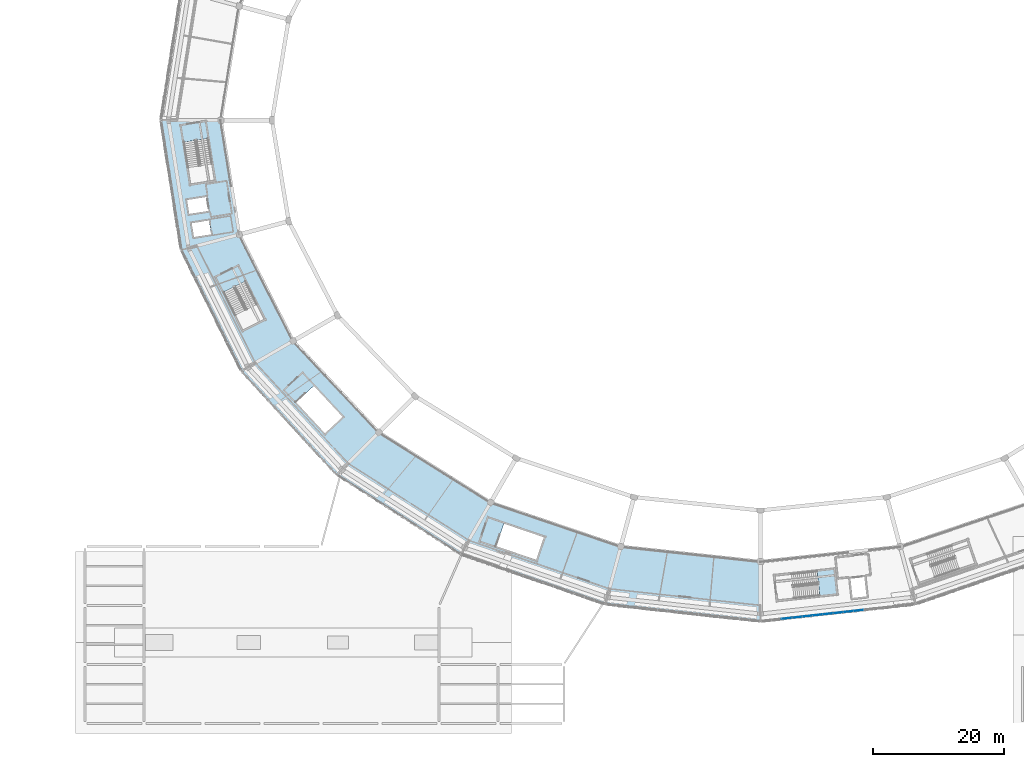
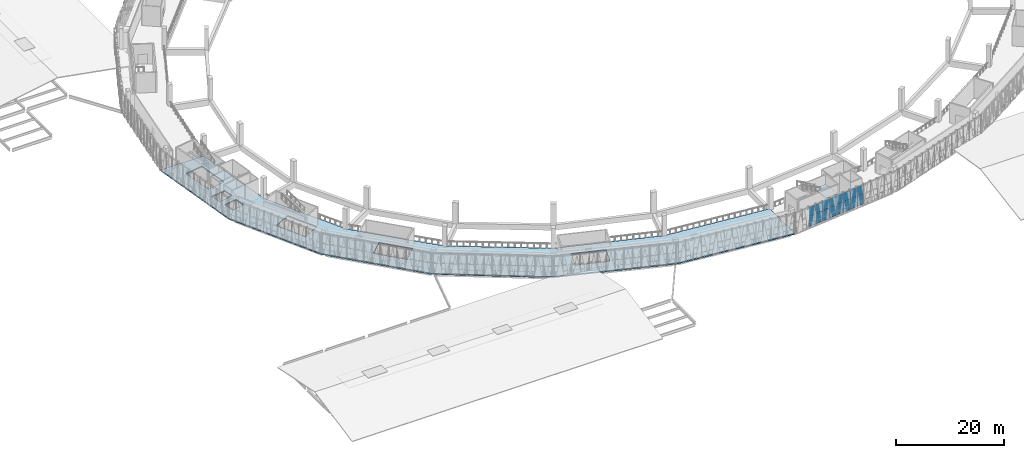
# One storey, part 52 of 108: 16 plates, 2 slabs, 2 elements without a shape of their own.
"""IFC4 building model written with IfcOpenShell, lengths in metres."""

from ifc_helpers import new_model, si_unit, direction, frame, origin, origin_2d, place, context, subcontext, project, spatial, polyline, rectangle, outline, extrude, material, layer, layer_set, type_object, element, aggregate, save


model = new_model("IFC4")

# Units and contexts
model_context = context("Model", 3, precision=1e-05, world=origin(), true_north=direction((0.0, 1.0)))
body_context = subcontext(model_context, "Body", "Model", "MODEL_VIEW")
ifc_project = project(units=[si_unit("LENGTHUNIT", "METRE"), si_unit("AREAUNIT", "SQUARE_METRE"), si_unit("VOLUMEUNIT", "CUBIC_METRE"), si_unit("PLANEANGLEUNIT", "RADIAN"), si_unit("MASSUNIT", "GRAM", prefix="KILO")], contexts=[model_context])

# Site, building, storey
site_placement = place(None, origin())
site = spatial("IfcSite", under=ifc_project, at=site_placement, CompositionType="ELEMENT")
building_placement = place(site_placement, origin())
building = spatial("IfcBuilding", under=site, at=building_placement, Name="Zevraka Park Crest Stadium", CompositionType="ELEMENT")
storey_placement = place(building_placement, frame((0.0, 0.0, 19.800048828125)))
storey = spatial("IfcBuildingStorey", under=building, at=storey_placement, Name="L04", CompositionType="ELEMENT", Elevation=19.800048828125)

# Curtain wall, plates
ifc_material_1 = material(Name="Anodised architectural aluminium and laminated safety glass", Category="aluminium")
curtain_wall_type = type_object("IfcCurtainWallType", Name="CW16", PredefinedType="NOTDEFINED", material=ifc_material_1)
curtain_wall_placement = place(storey_placement, origin())
curtain_wall = element("IfcCurtainWall", 1, at=curtain_wall_placement, inside=storey, type_object=curtain_wall_type, Name="Unitised Ring Curtain Wall CW16 L04-18", PredefinedType="NOTDEFINED")
ifc_material_2 = material(Name="Solar-control laminated double glazing", Category="glass")
ifc_layer_1 = layer(ifc_material_2, 0.031982421875)
ifc_layer_set_1 = layer_set([ifc_layer_1], Name="Solar-control laminated double glazing")
plate_type = type_object("IfcPlateType", Name="CP16", PredefinedType="CURTAIN_PANEL", material=ifc_layer_set_1)
plate_1_placement = place(storey_placement, frame((116.03076171875, 16.0244140625, 0.059814453125), z_axis=(0.0, 0.0, 1.0), x_axis=(0.993997152844, 0.109405941967, 0.0)))
plate_1 = element("IfcPlate", 2, at=plate_1_placement, type_object=plate_type, Name="CW16 panel 3.1", PredefinedType="CURTAIN_PANEL", context=body_context, shape_type="SweptSolid", body=[
    extrude(rectangle(XDim=1.509765625, YDim=0.031982421875, at=origin_2d()), origin(), (0.0, 0.0, 1.0), 2.31005859375),
])
plate_2_placement = place(storey_placement, frame((116.03076171875, 16.0244140625, 2.4296875), z_axis=(0.0, 0.0, 1.0), x_axis=(0.993997152844, 0.109405941967, 0.0)))
plate_2 = element("IfcPlate", 3, at=plate_2_placement, type_object=plate_type, Name="CW16 panel 3.2", PredefinedType="CURTAIN_PANEL", context=body_context, shape_type="SweptSolid", body=[
    extrude(rectangle(XDim=1.509765625, YDim=0.031982421875, at=origin_2d()), origin(), (0.0, 0.0, 1.0), 2.050048828125),
])
plate_3_placement = place(storey_placement, frame((117.5908203125, 16.196044921875, 0.059814453125), z_axis=(0.0, 0.0, 1.0), x_axis=(0.993997152844, 0.109405941967, 0.0)))
plate_3 = element("IfcPlate", 4, at=plate_3_placement, type_object=plate_type, Name="CW16 panel 4.1", PredefinedType="CURTAIN_PANEL", context=body_context, shape_type="SweptSolid", body=[
    extrude(rectangle(XDim=1.509765625, YDim=0.031982421875, at=origin_2d()), origin(), (0.0, 0.0, 1.0), 2.31005859375),
])
plate_4_placement = place(storey_placement, frame((117.5908203125, 16.196044921875, 2.4296875), z_axis=(0.0, 0.0, 1.0), x_axis=(0.993997152844, 0.109405941967, 0.0)))
plate_4 = element("IfcPlate", 5, at=plate_4_placement, type_object=plate_type, Name="CW16 panel 4.2", PredefinedType="CURTAIN_PANEL", context=body_context, shape_type="SweptSolid", body=[
    extrude(rectangle(XDim=1.509765625, YDim=0.031982421875, at=origin_2d()), origin(), (0.0, 0.0, 1.0), 2.050048828125),
])
plate_5_placement = place(storey_placement, frame((119.151123046875, 16.367919921875, 0.059814453125), z_axis=(0.0, 0.0, 1.0), x_axis=(0.993997152844, 0.109405941967, 0.0)))
plate_5 = element("IfcPlate", 6, at=plate_5_placement, type_object=plate_type, Name="CW16 panel 5.1", PredefinedType="CURTAIN_PANEL", context=body_context, shape_type="SweptSolid", body=[
    extrude(rectangle(XDim=1.509765625, YDim=0.031982421875, at=origin_2d()), origin(), (0.0, 0.0, 1.0), 2.31005859375),
])
plate_6_placement = place(storey_placement, frame((119.151123046875, 16.367919921875, 2.4296875), z_axis=(0.0, 0.0, 1.0), x_axis=(0.993997152844, 0.109405941967, 0.0)))
plate_6 = element("IfcPlate", 7, at=plate_6_placement, type_object=plate_type, Name="CW16 panel 5.2", PredefinedType="CURTAIN_PANEL", context=body_context, shape_type="SweptSolid", body=[
    extrude(rectangle(XDim=1.509765625, YDim=0.031982421875, at=origin_2d()), origin(), (0.0, 0.0, 1.0), 2.050048828125),
])
plate_7_placement = place(storey_placement, frame((120.71142578125, 16.53955078125, 0.059814453125), z_axis=(0.0, 0.0, 1.0), x_axis=(0.993997152844, 0.109405941967, 0.0)))
plate_7 = element("IfcPlate", 8, at=plate_7_placement, type_object=plate_type, Name="CW16 panel 6.1", PredefinedType="CURTAIN_PANEL", context=body_context, shape_type="SweptSolid", body=[
    extrude(rectangle(XDim=1.509765625, YDim=0.031982421875, at=origin_2d()), origin(), (0.0, 0.0, 1.0), 2.31005859375),
])
plate_8_placement = place(storey_placement, frame((120.71142578125, 16.53955078125, 2.4296875), z_axis=(0.0, 0.0, 1.0), x_axis=(0.993997152844, 0.109405941967, 0.0)))
plate_8 = element("IfcPlate", 9, at=plate_8_placement, type_object=plate_type, Name="CW16 panel 6.2", PredefinedType="CURTAIN_PANEL", context=body_context, shape_type="SweptSolid", body=[
    extrude(rectangle(XDim=1.509765625, YDim=0.031982421875, at=origin_2d()), origin(), (0.0, 0.0, 1.0), 2.050048828125),
])
plate_9_placement = place(storey_placement, frame((122.271728515625, 16.711181640625, 0.059814453125), z_axis=(0.0, 0.0, 1.0), x_axis=(0.993997152844, 0.109405941967, 0.0)))
plate_9 = element("IfcPlate", 10, at=plate_9_placement, type_object=plate_type, Name="CW16 panel 7.1", PredefinedType="CURTAIN_PANEL", context=body_context, shape_type="SweptSolid", body=[
    extrude(rectangle(XDim=1.509765625, YDim=0.031982421875, at=origin_2d()), origin(), (0.0, 0.0, 1.0), 2.31005859375),
])
plate_10_placement = place(storey_placement, frame((122.271728515625, 16.711181640625, 2.4296875), z_axis=(0.0, 0.0, 1.0), x_axis=(0.993997152844, 0.109405941967, 0.0)))
plate_10 = element("IfcPlate", 11, at=plate_10_placement, type_object=plate_type, Name="CW16 panel 7.2", PredefinedType="CURTAIN_PANEL", context=body_context, shape_type="SweptSolid", body=[
    extrude(rectangle(XDim=1.509765625, YDim=0.031982421875, at=origin_2d()), origin(), (0.0, 0.0, 1.0), 2.050048828125),
])
plate_11_placement = place(storey_placement, frame((123.83203125, 16.883056640625, 0.059814453125), z_axis=(0.0, 0.0, 1.0), x_axis=(0.993997152844, 0.109405941967, 0.0)))
plate_11 = element("IfcPlate", 12, at=plate_11_placement, type_object=plate_type, Name="CW16 panel 8.1", PredefinedType="CURTAIN_PANEL", context=body_context, shape_type="SweptSolid", body=[
    extrude(rectangle(XDim=1.509765625, YDim=0.031982421875, at=origin_2d()), origin(), (0.0, 0.0, 1.0), 2.31005859375),
])
plate_12_placement = place(storey_placement, frame((123.83203125, 16.883056640625, 2.4296875), z_axis=(0.0, 0.0, 1.0), x_axis=(0.993997152844, 0.109405941967, 0.0)))
plate_12 = element("IfcPlate", 13, at=plate_12_placement, type_object=plate_type, Name="CW16 panel 8.2", PredefinedType="CURTAIN_PANEL", context=body_context, shape_type="SweptSolid", body=[
    extrude(rectangle(XDim=1.509765625, YDim=0.031982421875, at=origin_2d()), origin(), (0.0, 0.0, 1.0), 2.050048828125),
])
plate_13_placement = place(storey_placement, frame((125.392333984375, 17.0546875, 0.059814453125), z_axis=(0.0, 0.0, 1.0), x_axis=(0.993997152844, 0.109405941967, 0.0)))
plate_13 = element("IfcPlate", 14, at=plate_13_placement, type_object=plate_type, Name="CW16 panel 9.1", PredefinedType="CURTAIN_PANEL", context=body_context, shape_type="SweptSolid", body=[
    extrude(rectangle(XDim=1.509765625, YDim=0.031982421875, at=origin_2d()), origin(), (0.0, 0.0, 1.0), 2.31005859375),
])
plate_14_placement = place(storey_placement, frame((125.392333984375, 17.0546875, 2.4296875), z_axis=(0.0, 0.0, 1.0), x_axis=(0.993997152844, 0.109405941967, 0.0)))
plate_14 = element("IfcPlate", 15, at=plate_14_placement, type_object=plate_type, Name="CW16 panel 9.2", PredefinedType="CURTAIN_PANEL", context=body_context, shape_type="SweptSolid", body=[
    extrude(rectangle(XDim=1.509765625, YDim=0.031982421875, at=origin_2d()), origin(), (0.0, 0.0, 1.0), 2.050048828125),
])
plate_15_placement = place(storey_placement, frame((126.95263671875, 17.2265625, 0.059814453125), z_axis=(0.0, 0.0, 1.0), x_axis=(0.993997152844, 0.109405941967, 0.0)))
plate_15 = element("IfcPlate", 16, at=plate_15_placement, type_object=plate_type, Name="CW16 panel 10.1", PredefinedType="CURTAIN_PANEL", context=body_context, shape_type="SweptSolid", body=[
    extrude(rectangle(XDim=1.509765625, YDim=0.031982421875, at=origin_2d()), origin(), (0.0, 0.0, 1.0), 2.31005859375),
])
plate_16_placement = place(storey_placement, frame((126.95263671875, 17.2265625, 2.4296875), z_axis=(0.0, 0.0, 1.0), x_axis=(0.993997152844, 0.109405941967, 0.0)))
plate_16 = element("IfcPlate", 17, at=plate_16_placement, type_object=plate_type, Name="CW16 panel 10.2", PredefinedType="CURTAIN_PANEL", context=body_context, shape_type="SweptSolid", body=[
    extrude(rectangle(XDim=1.509765625, YDim=0.031982421875, at=origin_2d()), origin(), (0.0, 0.0, 1.0), 2.050048828125),
])
aggregate(curtain_wall, [plate_1, plate_2, plate_3, plate_4, plate_5, plate_6, plate_7, plate_8, plate_9, plate_10, plate_11, plate_12, plate_13, plate_14, plate_15, plate_16])

# Slab
ifc_material_3 = material(Name="Concrete C35/45", Category="concrete")
ifc_layer_2 = layer(ifc_material_3, 0.260009765625)
ifc_layer_set_2 = layer_set([ifc_layer_2], Name="Concrete C35/45")
slab_type_1 = type_object("IfcSlabType", Name="FS03", PredefinedType="FLOOR", material=ifc_layer_set_2)
slab_1_placement = place(storey_placement, frame((0.0, 0.0, -0.260009765625)))
element("IfcSlab", 18, at=slab_1_placement, inside=storey, type_object=slab_type_1, Name="Bowl Concourse Ring Slab L04 Q3-SW-1", PredefinedType="FLOOR", context=body_context, shape_type="SweptSolid", body=[
    extrude(outline(polyline([(32.50390625, 74.5810546875), (40.72607421875, 58.35009765625), (53.804931640625, 44.412109375), (70.85009765625, 33.716064453125), (90.698974609375, 26.992919921875), (112.0, 24.699951171875), (112.0, 15.5), (88.318115234375, 18.10693359375), (66.25, 25.7490234375), (47.300048828125, 37.906005859375), (32.759033203125, 53.75), (23.617919921875, 72.199951171875), (20.5, 92.0), (29.699951171875, 92.0), (32.50390625, 74.5810546875)]), holes=[polyline([(72.89794921875, 30.5419921875), (71.679931640625, 26.98388671875), (77.847900390625, 24.8720703125), (79.06591796875, 28.428955078125), (72.89794921875, 30.5419921875)]), polyline([(48.339111328125, 46.748046875), (43.904052734375, 51.527099609375), (41.14794921875, 48.969970703125), (45.5830078125, 44.19091796875), (48.339111328125, 46.748046875)]), polyline([(36.384033203125, 61.631103515625), (33.464111328125, 67.4599609375), (30.10205078125, 65.77587890625), (33.02294921875, 59.947021484375), (36.384033203125, 61.631103515625)]), polyline([(27.887939453125, 76.7529296875), (25.220947265625, 76.330078125), (25.56591796875, 74.156982421875), (28.23291015625, 74.580078125), (27.887939453125, 76.7529296875)]), polyline([(27.81591796875, 78.159912109375), (27.470947265625, 80.3330078125), (24.508056640625, 79.862060546875), (24.85302734375, 77.68896484375), (27.81591796875, 78.159912109375)]), polyline([(28.76806640625, 82.80810546875), (27.742919921875, 89.2470703125), (24.030029296875, 88.655029296875), (25.054931640625, 82.217041015625), (28.76806640625, 82.80810546875)])]), origin(), (0.0, 0.0, 1.0), 0.260009765625),
])

# Stair, slab
ifc_material_4 = material(Name="Concrete C35/45", Category="concrete")
stair_type = type_object("IfcStairType", Name="STA2", PredefinedType="HALF_TURN_STAIR", material=ifc_material_4)
stair_placement = place(storey_placement, origin())
stair = element("IfcStair", 19, at=stair_placement, inside=storey, type_object=stair_type, Name="L04 Protected Concourse Exit Stair ST19", PredefinedType="HALF_TURN_STAIR")
ifc_material_5 = material(Name="Concrete C35/45", Category="concrete")
ifc_layer_3 = layer(ifc_material_5, 0.199951171875)
ifc_layer_set_3 = layer_set([ifc_layer_3], Name="Concrete C35/45")
slab_type_2 = type_object("IfcSlabType", Name="LS01", PredefinedType="LANDING", material=ifc_layer_set_3)
slab_2_placement = place(storey_placement, frame((0.0, 0.0, 2.199951171875)))
slab_2 = element("IfcSlab", 20, at=slab_2_placement, type_object=slab_type_2, Name="ST19 landing 1", PredefinedType="LANDING", context=body_context, shape_type="SweptSolid", body=[
    extrude(outline(polyline([(121.0390625, 19.492919921875), (123.6337890625, 19.775390625), (123.22705078125, 23.51318359375), (120.63232421875, 23.230712890625), (121.0390625, 19.492919921875)])), origin(), (0.0, 0.0, 1.0), 0.199951171875),
])
aggregate(stair, [slab_2])

save(model, "model.ifc")
